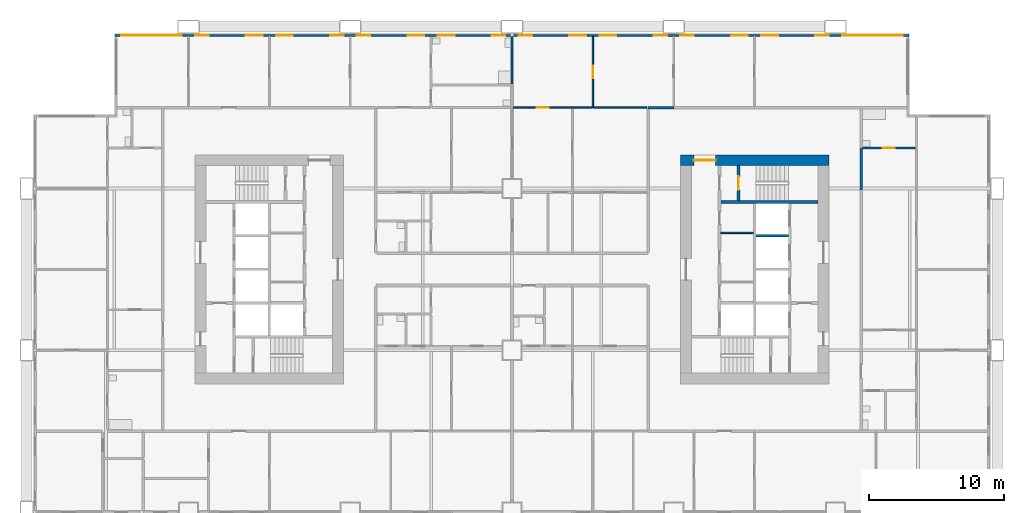
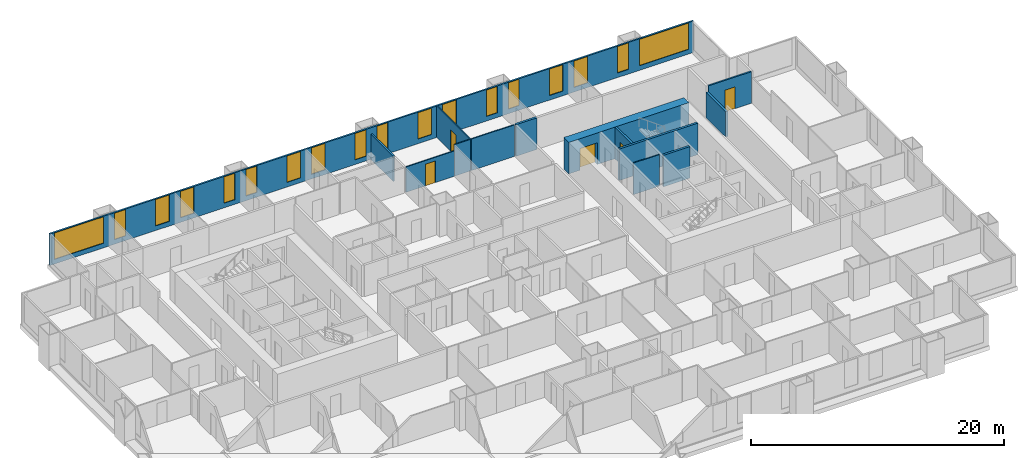
# One storey, part 10 of 14: 18 windows, 14 walls, 5 doors, 23 openings.
"""IFC4 building model written with IfcOpenShell, lengths in metres."""

from ifc_helpers import new_model, si_unit, direction, frame, frame_2d, origin, place, context, subcontext, project, spatial, rectangle, extrude, material, layer, layer_set, type_object, element, fill, save


model = new_model("IFC4")

# Units and contexts
model_context = context("Model", 3, precision=1e-05, world=origin(), true_north=direction((0.0, 1.0)))
body_context = subcontext(model_context, "Body", "Model", "MODEL_VIEW")
ifc_project = project(units=[si_unit("LENGTHUNIT", "METRE"), si_unit("AREAUNIT", "SQUARE_METRE"), si_unit("VOLUMEUNIT", "CUBIC_METRE"), si_unit("PLANEANGLEUNIT", "RADIAN"), si_unit("MASSUNIT", "GRAM", prefix="KILO")], contexts=[model_context])

# Site, building, storey
site_placement = place(None, origin())
site = spatial("IfcSite", under=ifc_project, at=site_placement, CompositionType="ELEMENT")
building_placement = place(site_placement, origin())
building = spatial("IfcBuilding", under=site, at=building_placement, Name="Kitamizu Gate Tower and Museum", CompositionType="ELEMENT")
storey_placement = place(building_placement, frame((0.0, 0.0, 64.5)))
storey = spatial("IfcBuildingStorey", under=building, at=storey_placement, Name="L15", CompositionType="ELEMENT", Elevation=64.5)

# Wall, opening, door
ifc_material_1 = material(Name="Concrete Fc60", Category="concrete")
ifc_layer_1 = layer(ifc_material_1, 0.800048828125)
ifc_layer_set_1 = layer_set([ifc_layer_1], Name="Concrete Fc60")
wall_type_1 = type_object("IfcWallType", Name="Core wall 800", PredefinedType="SHEAR", material=ifc_layer_set_1)
wall_1_placement = place(storey_placement, frame((59.5, 38.10009765625, 0.0), z_axis=(0.0, 0.0, 1.0), x_axis=(-1.0, 0.0, 0.0)))
wall_1 = element("IfcWall", 1, at=wall_1_placement, inside=storey, type_object=wall_type_1, Name="Core wall EN", PredefinedType="SHEAR", context=body_context, shape_type="SweptSolid", body=[
    extrude(rectangle(XDim=11.0, YDim=0.800048828125, at=frame_2d((5.5, 0.0))), origin(), (0.0, 0.0, 1.0), 3.050048828125),
])
opening_1_placement = place(wall_1_placement, frame((8.39990234375, 0.0, 0.0)))
opening_1 = element("IfcOpeningElement", 2, at=opening_1_placement, cuts=wall_1, Name="Opening L15-104", PredefinedType="OPENING", context=body_context, shape_type="SweptSolid", body=[
    extrude(rectangle(XDim=1.60009765625, YDim=2.10009765625, at=frame_2d((0.800048828125, 1.050048828125))), frame((0.0, 0.41015625, 0.0), z_axis=(0.0, -1.0, 0.0), x_axis=(1.0, 0.0, 0.0)), (0.0, 0.0, 1.0), 0.820068359375),
])
ifc_material_2 = material(Name="Timber door set", Category="wood")
door_type_1 = type_object("IfcDoorType", Name="Entrance door 1600", OperationType="DOUBLE_DOOR_SINGLE_SWING", PredefinedType="DOOR", material=ifc_material_2)
door_1_placement = place(opening_1_placement, origin())
door_1 = element("IfcDoor", 3, at=door_1_placement, inside=storey, type_object=door_type_1, Name="Lobby door L15-104", OperationType="DOUBLE_DOOR_SINGLE_SWING", OverallHeight=2.10009765625, OverallWidth=1.60009765625, PredefinedType="DOOR", context=body_context, shape_type="SweptSolid", body=[
    extrude(rectangle(XDim=1.60009765625, YDim=2.10009765625, at=frame_2d((0.800048828125, 1.050048828125))), frame((0.0, 0.02490234375, 0.0), z_axis=(0.0, -1.0, 0.0), x_axis=(1.0, 0.0, 0.0)), (0.0, 0.0, 1.0), 0.050048828125),
])
fill(opening_1, door_1)

# Wall
ifc_material_3 = material(Name="Gypsum board on galvanised stud")
ifc_layer_2 = layer(ifc_material_3, 0.10009765625)
ifc_layer_set_2 = layer_set([ifc_layer_2], Name="Gypsum board on galvanised stud")
wall_type_2 = type_object("IfcWallType", Name="Partition 100", PredefinedType="PARTITIONING", material=ifc_layer_set_2)
wall_2_placement = place(storey_placement, frame((53.89990234375, 32.7099609375, 0.0), z_axis=(0.0, 0.0, 1.0), x_axis=(-1.0, 0.0, 0.0)))
element("IfcWall", 4, at=wall_2_placement, inside=storey, type_object=wall_type_2, Name="Partition EPF2", PredefinedType="PARTITIONING", context=body_context, shape_type="SweptSolid", body=[
    extrude(rectangle(XDim=2.39990234375, YDim=0.10009765625, at=frame_2d((1.199951171875, 0.0))), origin(), (0.0, 0.0, 1.0), 3.050048828125),
])

# Wall, opening, door
ifc_material_4 = material(Name="Gypsum board on galvanised stud")
ifc_layer_3 = layer(ifc_material_4, 0.10009765625)
ifc_layer_set_3 = layer_set([ifc_layer_3], Name="Gypsum board on galvanised stud")
wall_type_3 = type_object("IfcWallType", Name="Partition 100 NOT RATED", PredefinedType="PARTITIONING", material=ifc_layer_set_3)
wall_3_placement = place(storey_placement, frame((42.0, 42.0, 0.0), z_axis=(0.0, 0.0, 1.0), x_axis=(0.0, 1.0, 0.0)))
wall_3 = element("IfcWall", 5, at=wall_3_placement, inside=storey, type_object=wall_type_3, Name="Partition L15-166", PredefinedType="PARTITIONING", context=body_context, shape_type="SweptSolid", body=[
    extrude(rectangle(XDim=5.280029296875, YDim=0.10009765625, at=frame_2d((2.64013671875, 0.0))), origin(), (0.0, 0.0, 1.0), 3.050048828125),
])
opening_2_placement = place(wall_3_placement, frame((2.18994140625, 0.0, 0.0)))
opening_2 = element("IfcOpeningElement", 6, at=opening_2_placement, cuts=wall_3, Name="Opening L15-072", PredefinedType="OPENING", context=body_context, shape_type="SweptSolid", body=[
    extrude(rectangle(XDim=0.89990234375, YDim=2.10009765625, at=frame_2d((0.449951171875, 1.050048828125))), frame((0.0, 0.06005859375, 0.0), z_axis=(0.0, -1.0, 0.0), x_axis=(1.0, 0.0, 0.0)), (0.0, 0.0, 1.0), 0.1201171875),
])
ifc_material_5 = material(Name="Timber door set", Category="wood")
door_type_2 = type_object("IfcDoorType", Name="Room door 900", OperationType="NOTDEFINED", PredefinedType="DOOR", material=ifc_material_5)
door_2_placement = place(opening_2_placement, origin())
door_2 = element("IfcDoor", 7, at=door_2_placement, inside=storey, type_object=door_type_2, Name="Door L15-072", OperationType="SINGLE_SWING_LEFT", OverallHeight=2.10009765625, OverallWidth=0.89990234375, PredefinedType="DOOR", context=body_context, shape_type="SweptSolid", body=[
    extrude(rectangle(XDim=0.89990234375, YDim=2.10009765625, at=frame_2d((0.449951171875, 1.050048828125))), frame((0.0, 0.02490234375, 0.0), z_axis=(0.0, -1.0, 0.0), x_axis=(1.0, 0.0, 0.0)), (0.0, 0.0, 1.0), 0.050048828125),
])
fill(opening_2, door_2)

wall_4_placement = place(storey_placement, frame((36.074951171875, 42.0, 0.0), z_axis=(0.0, 0.0, 1.0), x_axis=(1.0, 0.0, 0.0)))
wall_4 = element("IfcWall", 8, at=wall_4_placement, inside=storey, type_object=wall_type_3, Name="Partition L15-167", PredefinedType="PARTITIONING", context=body_context, shape_type="SweptSolid", body=[
    extrude(rectangle(XDim=4.425048828125, YDim=0.10009765625, at=frame_2d((2.21240234375, 0.0))), origin(), (0.0, 0.0, 1.0), 2.449951171875),
])
opening_3_placement = place(wall_4_placement, frame((1.762451171875, 0.0, 0.0)))
opening_3 = element("IfcOpeningElement", 9, at=opening_3_placement, cuts=wall_4, Name="Opening L15-071", PredefinedType="OPENING", context=body_context, shape_type="SweptSolid", body=[
    extrude(rectangle(XDim=0.89990234375, YDim=2.10009765625, at=frame_2d((0.449951171875, 1.050048828125))), frame((0.0, 0.06005859375, 0.0), z_axis=(0.0, -1.0, 0.0), x_axis=(1.0, 0.0, 0.0)), (0.0, 0.0, 1.0), 0.1201171875),
])
door_3_placement = place(opening_3_placement, frame((0.89990234375, 0.0, 0.0), x_axis=(-1.0, 0.0, 0.0)))
door_3 = element("IfcDoor", 10, at=door_3_placement, inside=storey, type_object=door_type_2, Name="Door L15-071", OperationType="SINGLE_SWING_LEFT", OverallHeight=2.10009765625, OverallWidth=0.89990234375, PredefinedType="DOOR", context=body_context, shape_type="SweptSolid", body=[
    extrude(rectangle(XDim=0.89990234375, YDim=2.10009765625, at=frame_2d((0.449951171875, 1.050048828125))), frame((0.0, 0.02490234375, 0.0), z_axis=(0.0, -1.0, 0.0), x_axis=(1.0, 0.0, 0.0)), (0.0, 0.0, 1.0), 0.050048828125),
])
fill(opening_3, door_3)

# Walls
wall_5_placement = place(storey_placement, frame((40.5, 42.0, 0.0), z_axis=(0.0, 0.0, 1.0), x_axis=(1.0, 0.0, 0.0)))
element("IfcWall", 11, at=wall_5_placement, inside=storey, type_object=wall_type_3, Name="Partition L15-168", PredefinedType="PARTITIONING", context=body_context, shape_type="SweptSolid", body=[
    extrude(rectangle(XDim=1.449951171875, YDim=0.10009765625, at=frame_2d((0.72509765625, 0.0))), origin(), (0.0, 0.0, 1.0), 3.050048828125),
])
wall_6_placement = place(storey_placement, frame((42.050048828125, 42.0, 0.0), z_axis=(0.0, 0.0, 1.0), x_axis=(1.0, 0.0, 0.0)))
element("IfcWall", 12, at=wall_6_placement, inside=storey, type_object=wall_type_3, Name="Partition L15-170", PredefinedType="PARTITIONING", context=body_context, shape_type="SweptSolid", body=[
    extrude(rectangle(XDim=3.949951171875, YDim=0.10009765625, at=frame_2d((1.97509765625, 0.0))), origin(), (0.0, 0.0, 1.0), 3.050048828125),
])
ifc_material_6 = material(Name="Gypsum board on galvanised stud")
ifc_layer_4 = layer(ifc_material_6, 0.14990234375)
ifc_layer_set_4 = layer_set([ifc_layer_4], Name="Gypsum board on galvanised stud")
wall_type_4 = type_object("IfcWallType", Name="Partition 150", PredefinedType="PARTITIONING", material=ifc_layer_set_4)
wall_7_placement = place(storey_placement, frame((36.0, 43.7548828125, 0.0), z_axis=(0.0, 0.0, 1.0), x_axis=(0.0, 1.0, 0.0)))
element("IfcWall", 13, at=wall_7_placement, inside=storey, type_object=wall_type_4, Name="Partition L15-162", PredefinedType="PARTITIONING", context=body_context, shape_type="SweptSolid", body=[
    extrude(rectangle(XDim=3.525146484375, YDim=0.14990234375, at=frame_2d((1.7626953125, 0.0))), origin(), (0.0, 0.0, 1.0), 2.449951171875),
])

# Wall, opening, door
wall_8_placement = place(storey_placement, frame((65.925048828125, 39.0, 0.0), z_axis=(0.0, 0.0, 1.0), x_axis=(-1.0, 0.0, 0.0)))
wall_8 = element("IfcWall", 14, at=wall_8_placement, inside=storey, type_object=wall_type_4, Name="Partition L15-223", PredefinedType="PARTITIONING", context=body_context, shape_type="SweptSolid", body=[
    extrude(rectangle(XDim=3.925048828125, YDim=0.14990234375, at=frame_2d((1.96240234375, 0.0))), origin(), (0.0, 0.0, 1.0), 3.050048828125),
])
opening_4_placement = place(wall_8_placement, frame((1.512451171875, 0.0, 0.0)))
opening_4 = element("IfcOpeningElement", 15, at=opening_4_placement, cuts=wall_8, Name="Opening L15-084", PredefinedType="OPENING", context=body_context, shape_type="SweptSolid", body=[
    extrude(rectangle(XDim=0.89990234375, YDim=2.10009765625, at=frame_2d((0.449951171875, 1.050048828125))), frame((0.0, 0.0849609375, 0.0), z_axis=(0.0, -1.0, 0.0), x_axis=(1.0, 0.0, 0.0)), (0.0, 0.0, 1.0), 0.169921875),
])
ifc_material_7 = material(Name="Timber door set", Category="wood")
door_type_3 = type_object("IfcDoorType", Name="Bathroom door 900", OperationType="NOTDEFINED", PredefinedType="DOOR", material=ifc_material_7)
door_4_placement = place(opening_4_placement, frame((0.89990234375, 0.0, 0.0), x_axis=(-1.0, 0.0, 0.0)))
door_4 = element("IfcDoor", 16, at=door_4_placement, inside=storey, type_object=door_type_3, Name="Bathroom door L15-084", OperationType="SINGLE_SWING_RIGHT", OverallHeight=2.10009765625, OverallWidth=0.89990234375, PredefinedType="DOOR", context=body_context, shape_type="SweptSolid", body=[
    extrude(rectangle(XDim=0.89990234375, YDim=2.10009765625, at=frame_2d((0.449951171875, 1.050048828125))), frame((0.0, 0.02490234375, 0.0), z_axis=(0.0, -1.0, 0.0), x_axis=(1.0, 0.0, 0.0)), (0.0, 0.0, 1.0), 0.050048828125),
])
fill(opening_4, door_4)

# Walls
ifc_material_8 = material(Name="Gypsum board on galvanised stud")
ifc_layer_5 = layer(ifc_material_8, 0.199951171875)
ifc_layer_set_5 = layer_set([ifc_layer_5], Name="Gypsum board on galvanised stud")
wall_type_5 = type_object("IfcWallType", Name="Partition 200", PredefinedType="PARTITIONING", material=ifc_layer_set_5)
wall_9_placement = place(storey_placement, frame((46.10009765625, 42.0, 0.0), z_axis=(0.0, 0.0, 1.0), x_axis=(1.0, 0.0, 0.0)))
element("IfcWall", 17, at=wall_9_placement, inside=storey, type_object=wall_type_5, Name="Partition L15-171", PredefinedType="PARTITIONING", context=body_context, shape_type="SweptSolid", body=[
    extrude(rectangle(XDim=1.89990234375, YDim=0.199951171875, at=frame_2d((0.949951171875, 0.0))), origin(), (0.0, 0.0, 1.0), 3.050048828125),
])
wall_10_placement = place(storey_placement, frame((61.89990234375, 39.0, 0.0), z_axis=(0.0, 0.0, 1.0), x_axis=(0.0, -1.0, 0.0)))
element("IfcWall", 18, at=wall_10_placement, inside=storey, type_object=wall_type_5, Name="Partition L15-224", PredefinedType="PARTITIONING", context=body_context, shape_type="SweptSolid", body=[
    extrude(rectangle(XDim=3.10009765625, YDim=0.199951171875, at=frame_2d((1.550048828125, 0.0))), origin(), (0.0, 0.0, 1.0), 2.449951171875),
])
ifc_material_9 = material(Name="Concrete Fc42", Category="concrete")
ifc_layer_6 = layer(ifc_material_9, 0.199951171875)
ifc_layer_set_6 = layer_set([ifc_layer_6], Name="Concrete Fc42")
wall_type_6 = type_object("IfcWallType", Name="Shaft wall 200", PredefinedType="SOLIDWALL", material=ifc_layer_set_6)
wall_11_placement = place(storey_placement, frame((58.699951171875, 35.0, 0.0), z_axis=(0.0, 0.0, 1.0), x_axis=(-1.0, 0.0, 0.0)))
element("IfcWall", 19, at=wall_11_placement, inside=storey, type_object=wall_type_6, Name="Shaft wall ENB", PredefinedType="SOLIDWALL", context=body_context, shape_type="SweptSolid", body=[
    extrude(rectangle(XDim=7.199951171875, YDim=0.199951171875, at=frame_2d((3.60009765625, 0.0))), origin(), (0.0, 0.0, 1.0), 3.050048828125),
])

# Wall, opening, door
wall_12_placement = place(storey_placement, frame((52.800048828125, 35.10009765625, 0.0), z_axis=(0.0, 0.0, 1.0), x_axis=(0.0, 1.0, 0.0)))
wall_12 = element("IfcWall", 20, at=wall_12_placement, inside=storey, type_object=wall_type_6, Name="Shaft wall ENZ", PredefinedType="SOLIDWALL", context=body_context, shape_type="SweptSolid", body=[
    extrude(rectangle(XDim=2.599853515625, YDim=0.199951171875, at=frame_2d((1.2998046875, 0.0))), origin(), (0.0, 0.0, 1.0), 3.050048828125),
])
opening_5_placement = place(wall_12_placement, frame((0.800048828125, 0.0, 0.0)))
opening_5 = element("IfcOpeningElement", 21, at=opening_5_placement, cuts=wall_12, Name="Opening L15-100", PredefinedType="OPENING", context=body_context, shape_type="SweptSolid", body=[
    extrude(rectangle(XDim=1.0, YDim=2.10009765625, at=frame_2d((0.5, 1.050048828125))), frame((0.0, 0.10986328125, 0.0), z_axis=(0.0, -1.0, 0.0), x_axis=(1.0, 0.0, 0.0)), (0.0, 0.0, 1.0), 0.219970703125),
])
ifc_material_10 = material(Name="Hollow metal door set")
door_type_4 = type_object("IfcDoorType", Name="Fire door 1000", OperationType="NOTDEFINED", PredefinedType="DOOR", material=ifc_material_10)
door_5_placement = place(opening_5_placement, frame((1.0, 0.0, 0.0), x_axis=(-1.0, 0.0, 0.0)))
door_5 = element("IfcDoor", 22, at=door_5_placement, inside=storey, type_object=door_type_4, Name="Stair door L15-100", OperationType="SINGLE_SWING_LEFT", OverallHeight=2.10009765625, OverallWidth=1.0, PredefinedType="DOOR", context=body_context, shape_type="SweptSolid", body=[
    extrude(rectangle(XDim=1.0, YDim=2.10009765625, at=frame_2d((0.5, 1.050048828125))), frame((0.0, 0.02490234375, 0.0), z_axis=(0.0, -1.0, 0.0), x_axis=(1.0, 0.0, 0.0)), (0.0, 0.0, 1.0), 0.050048828125),
])
fill(opening_5, door_5)

# Wall
wall_13_placement = place(storey_placement, frame((56.5, 32.5, 0.0), z_axis=(0.0, 0.0, 1.0), x_axis=(-1.0, 0.0, 0.0)))
element("IfcWall", 23, at=wall_13_placement, inside=storey, type_object=wall_type_6, Name="Shaft wall EDVW2", PredefinedType="SOLIDWALL", context=body_context, shape_type="SweptSolid", body=[
    extrude(rectangle(XDim=2.39990234375, YDim=0.199951171875, at=frame_2d((1.199951171875, 0.0))), origin(), (0.0, 0.0, 1.0), 3.050048828125),
])

# Wall, openings, windows
ifc_material_11 = material(Name="Bronze anodised aluminium frame with insulated spandrel and tinted glass", Category="aluminium")
ifc_layer_7 = layer(ifc_material_11, 0.14990234375)
ifc_layer_set_7 = layer_set([ifc_layer_7], Name="Bronze anodised aluminium frame with insulated spandrel and tinted glass")
wall_type_7 = type_object("IfcWallType", Name="WINDOW WALL 150 BRONZE FRAME EI 30", PredefinedType="ELEMENTEDWALL", material=ifc_layer_set_7)
wall_14_placement = place(storey_placement, frame((6.56005859375, 47.364990234375, 0.0), z_axis=(0.0, 0.0, 1.0), x_axis=(1.0, 0.0, 0.0)))
wall_14 = element("IfcWall", 24, at=wall_14_placement, inside=storey, type_object=wall_type_7, Name="Window wall north L15", PredefinedType="ELEMENTEDWALL", context=body_context, shape_type="SweptSolid", body=[
    extrude(rectangle(XDim=58.8798828125, YDim=0.14990234375, at=frame_2d((29.43994140625, 0.0))), origin(), (0.0, 0.0, 1.0), 3.050048828125),
])
opening_6_placement = place(wall_14_placement, frame((0.43994140625, 0.0, 0.449951171875)))
opening_6 = element("IfcOpeningElement", 25, at=opening_6_placement, cuts=wall_14, Name="Opening W15", PredefinedType="OPENING", context=body_context, shape_type="SweptSolid", body=[
    extrude(rectangle(XDim=4.5, YDim=2.550048828125, at=frame_2d((2.25, 1.27490234375))), frame((0.0, 0.0849609375, 0.0), z_axis=(0.0, -1.0, 0.0), x_axis=(1.0, 0.0, 0.0)), (0.0, 0.0, 1.0), 0.169921875),
])
opening_7_placement = place(wall_14_placement, frame((5.93994140625, 0.0, 0.449951171875)))
opening_7 = element("IfcOpeningElement", 26, at=opening_7_placement, cuts=wall_14, Name="Opening W26", PredefinedType="OPENING", context=body_context, shape_type="SweptSolid", body=[
    extrude(rectangle(XDim=1.0, YDim=2.550048828125, at=frame_2d((0.5, 1.27490234375))), frame((0.0, 0.0849609375, 0.0), z_axis=(0.0, -1.0, 0.0), x_axis=(1.0, 0.0, 0.0)), (0.0, 0.0, 1.0), 0.169921875),
])
opening_8_placement = place(wall_14_placement, frame((9.68994140625, 0.0, 0.449951171875)))
opening_8 = element("IfcOpeningElement", 27, at=opening_8_placement, cuts=wall_14, Name="Opening W27", PredefinedType="OPENING", context=body_context, shape_type="SweptSolid", body=[
    extrude(rectangle(XDim=1.25, YDim=2.550048828125, at=frame_2d((0.625, 1.27490234375))), frame((0.0, 0.0849609375, 0.0), z_axis=(0.0, -1.0, 0.0), x_axis=(1.0, 0.0, 0.0)), (0.0, 0.0, 1.0), 0.169921875),
])
opening_9_placement = place(wall_14_placement, frame((11.93994140625, 0.0, 0.449951171875)))
opening_9 = element("IfcOpeningElement", 28, at=opening_9_placement, cuts=wall_14, Name="Opening W27", PredefinedType="OPENING", context=body_context, shape_type="SweptSolid", body=[
    extrude(rectangle(XDim=1.25, YDim=2.550048828125, at=frame_2d((0.625, 1.27490234375))), frame((0.0, 0.0849609375, 0.0), z_axis=(0.0, -1.0, 0.0), x_axis=(1.0, 0.0, 0.0)), (0.0, 0.0, 1.0), 0.169921875),
])
opening_10_placement = place(wall_14_placement, frame((15.93994140625, 0.0, 0.449951171875)))
opening_10 = element("IfcOpeningElement", 29, at=opening_10_placement, cuts=wall_14, Name="Opening W26", PredefinedType="OPENING", context=body_context, shape_type="SweptSolid", body=[
    extrude(rectangle(XDim=1.0, YDim=2.550048828125, at=frame_2d((0.5, 1.27490234375))), frame((0.0, 0.0849609375, 0.0), z_axis=(0.0, -1.0, 0.0), x_axis=(1.0, 0.0, 0.0)), (0.0, 0.0, 1.0), 0.169921875),
])
opening_11_placement = place(wall_14_placement, frame((17.93994140625, 0.0, 0.449951171875)))
opening_11 = element("IfcOpeningElement", 30, at=opening_11_placement, cuts=wall_14, Name="Opening W26", PredefinedType="OPENING", context=body_context, shape_type="SweptSolid", body=[
    extrude(rectangle(XDim=1.0, YDim=2.550048828125, at=frame_2d((0.5, 1.27490234375))), frame((0.0, 0.0849609375, 0.0), z_axis=(0.0, -1.0, 0.0), x_axis=(1.0, 0.0, 0.0)), (0.0, 0.0, 1.0), 0.169921875),
])
opening_12_placement = place(wall_14_placement, frame((21.68994140625, 0.0, 0.449951171875)))
opening_12 = element("IfcOpeningElement", 31, at=opening_12_placement, cuts=wall_14, Name="Opening W27", PredefinedType="OPENING", context=body_context, shape_type="SweptSolid", body=[
    extrude(rectangle(XDim=1.25, YDim=2.550048828125, at=frame_2d((0.625, 1.27490234375))), frame((0.0, 0.0849609375, 0.0), z_axis=(0.0, -1.0, 0.0), x_axis=(1.0, 0.0, 0.0)), (0.0, 0.0, 1.0), 0.169921875),
])
opening_13_placement = place(wall_14_placement, frame((23.93994140625, 0.0, 0.449951171875)))
opening_13 = element("IfcOpeningElement", 32, at=opening_13_placement, cuts=wall_14, Name="Opening W27", PredefinedType="OPENING", context=body_context, shape_type="SweptSolid", body=[
    extrude(rectangle(XDim=1.25, YDim=2.550048828125, at=frame_2d((0.625, 1.27490234375))), frame((0.0, 0.0849609375, 0.0), z_axis=(0.0, -1.0, 0.0), x_axis=(1.0, 0.0, 0.0)), (0.0, 0.0, 1.0), 0.169921875),
])
opening_14_placement = place(wall_14_placement, frame((27.93994140625, 0.0, 0.449951171875)))
opening_14 = element("IfcOpeningElement", 33, at=opening_14_placement, cuts=wall_14, Name="Opening W26", PredefinedType="OPENING", context=body_context, shape_type="SweptSolid", body=[
    extrude(rectangle(XDim=1.0, YDim=2.550048828125, at=frame_2d((0.5, 1.27490234375))), frame((0.0, 0.0849609375, 0.0), z_axis=(0.0, -1.0, 0.0), x_axis=(1.0, 0.0, 0.0)), (0.0, 0.0, 1.0), 0.169921875),
])
opening_15_placement = place(wall_14_placement, frame((29.93994140625, 0.0, 0.449951171875)))
opening_15 = element("IfcOpeningElement", 34, at=opening_15_placement, cuts=wall_14, Name="Opening W26", PredefinedType="OPENING", context=body_context, shape_type="SweptSolid", body=[
    extrude(rectangle(XDim=1.0, YDim=2.550048828125, at=frame_2d((0.5, 1.27490234375))), frame((0.0, 0.0849609375, 0.0), z_axis=(0.0, -1.0, 0.0), x_axis=(1.0, 0.0, 0.0)), (0.0, 0.0, 1.0), 0.169921875),
])
opening_16_placement = place(wall_14_placement, frame((33.68994140625, 0.0, 0.449951171875)))
opening_16 = element("IfcOpeningElement", 35, at=opening_16_placement, cuts=wall_14, Name="Opening W27", PredefinedType="OPENING", context=body_context, shape_type="SweptSolid", body=[
    extrude(rectangle(XDim=1.25, YDim=2.550048828125, at=frame_2d((0.625, 1.27490234375))), frame((0.0, 0.0849609375, 0.0), z_axis=(0.0, -1.0, 0.0), x_axis=(1.0, 0.0, 0.0)), (0.0, 0.0, 1.0), 0.169921875),
])
opening_17_placement = place(wall_14_placement, frame((35.93994140625, 0.0, 0.449951171875)))
opening_17 = element("IfcOpeningElement", 36, at=opening_17_placement, cuts=wall_14, Name="Opening W27", PredefinedType="OPENING", context=body_context, shape_type="SweptSolid", body=[
    extrude(rectangle(XDim=1.25, YDim=2.550048828125, at=frame_2d((0.625, 1.27490234375))), frame((0.0, 0.0849609375, 0.0), z_axis=(0.0, -1.0, 0.0), x_axis=(1.0, 0.0, 0.0)), (0.0, 0.0, 1.0), 0.169921875),
])
opening_18_placement = place(wall_14_placement, frame((39.93994140625, 0.0, 0.449951171875)))
opening_18 = element("IfcOpeningElement", 37, at=opening_18_placement, cuts=wall_14, Name="Opening W26", PredefinedType="OPENING", context=body_context, shape_type="SweptSolid", body=[
    extrude(rectangle(XDim=1.0, YDim=2.550048828125, at=frame_2d((0.5, 1.27490234375))), frame((0.0, 0.0849609375, 0.0), z_axis=(0.0, -1.0, 0.0), x_axis=(1.0, 0.0, 0.0)), (0.0, 0.0, 1.0), 0.169921875),
])
opening_19_placement = place(wall_14_placement, frame((41.93994140625, 0.0, 0.449951171875)))
opening_19 = element("IfcOpeningElement", 38, at=opening_19_placement, cuts=wall_14, Name="Opening W26", PredefinedType="OPENING", context=body_context, shape_type="SweptSolid", body=[
    extrude(rectangle(XDim=1.0, YDim=2.550048828125, at=frame_2d((0.5, 1.27490234375))), frame((0.0, 0.0849609375, 0.0), z_axis=(0.0, -1.0, 0.0), x_axis=(1.0, 0.0, 0.0)), (0.0, 0.0, 1.0), 0.169921875),
])
opening_20_placement = place(wall_14_placement, frame((45.68994140625, 0.0, 0.449951171875)))
opening_20 = element("IfcOpeningElement", 39, at=opening_20_placement, cuts=wall_14, Name="Opening W27", PredefinedType="OPENING", context=body_context, shape_type="SweptSolid", body=[
    extrude(rectangle(XDim=1.25, YDim=2.550048828125, at=frame_2d((0.625, 1.27490234375))), frame((0.0, 0.0849609375, 0.0), z_axis=(0.0, -1.0, 0.0), x_axis=(1.0, 0.0, 0.0)), (0.0, 0.0, 1.0), 0.169921875),
])
opening_21_placement = place(wall_14_placement, frame((47.93994140625, 0.0, 0.449951171875)))
opening_21 = element("IfcOpeningElement", 40, at=opening_21_placement, cuts=wall_14, Name="Opening W27", PredefinedType="OPENING", context=body_context, shape_type="SweptSolid", body=[
    extrude(rectangle(XDim=1.25, YDim=2.550048828125, at=frame_2d((0.625, 1.27490234375))), frame((0.0, 0.0849609375, 0.0), z_axis=(0.0, -1.0, 0.0), x_axis=(1.0, 0.0, 0.0)), (0.0, 0.0, 1.0), 0.169921875),
])
opening_22_placement = place(wall_14_placement, frame((51.93994140625, 0.0, 0.449951171875)))
opening_22 = element("IfcOpeningElement", 41, at=opening_22_placement, cuts=wall_14, Name="Opening W26", PredefinedType="OPENING", context=body_context, shape_type="SweptSolid", body=[
    extrude(rectangle(XDim=1.0, YDim=2.550048828125, at=frame_2d((0.5, 1.27490234375))), frame((0.0, 0.0849609375, 0.0), z_axis=(0.0, -1.0, 0.0), x_axis=(1.0, 0.0, 0.0)), (0.0, 0.0, 1.0), 0.169921875),
])
opening_23_placement = place(wall_14_placement, frame((53.93994140625, 0.0, 0.449951171875)))
opening_23 = element("IfcOpeningElement", 42, at=opening_23_placement, cuts=wall_14, Name="Opening W15", PredefinedType="OPENING", context=body_context, shape_type="SweptSolid", body=[
    extrude(rectangle(XDim=4.5, YDim=2.550048828125, at=frame_2d((2.25, 1.27490234375))), frame((0.0, 0.0849609375, 0.0), z_axis=(0.0, -1.0, 0.0), x_axis=(1.0, 0.0, 0.0)), (0.0, 0.0, 1.0), 0.169921875),
])
ifc_material_12 = material(Name="Bronze anodised aluminium frame, tinted triple glazing", Category="aluminium")
window_type_1 = type_object("IfcWindowType", Name="WINDOW 1000 x 2550 SILL 450", PartitioningType="SINGLE_PANEL", PredefinedType="WINDOW", material=ifc_material_12)
window_1_placement = place(opening_7_placement, origin())
window_1 = element("IfcWindow", 43, at=window_1_placement, inside=storey, type_object=window_type_1, Name="Window W26 L15", OverallHeight=2.550048828125, OverallWidth=1.0, PartitioningType="SINGLE_PANEL", PredefinedType="WINDOW", context=body_context, shape_type="SweptSolid", body=[
    extrude(rectangle(XDim=1.0, YDim=2.550048828125, at=frame_2d((0.5, 1.27490234375))), frame((0.0, 0.030029296875, 0.0), z_axis=(0.0, -1.0, 0.0), x_axis=(1.0, 0.0, 0.0)), (0.0, 0.0, 1.0), 0.06005859375),
])
fill(opening_7, window_1)
window_2_placement = place(opening_10_placement, origin())
window_2 = element("IfcWindow", 44, at=window_2_placement, inside=storey, type_object=window_type_1, Name="Window W26 L15", OverallHeight=2.550048828125, OverallWidth=1.0, PartitioningType="SINGLE_PANEL", PredefinedType="WINDOW", context=body_context, shape_type="SweptSolid", body=[
    extrude(rectangle(XDim=1.0, YDim=2.550048828125, at=frame_2d((0.5, 1.27490234375))), frame((0.0, 0.030029296875, 0.0), z_axis=(0.0, -1.0, 0.0), x_axis=(1.0, 0.0, 0.0)), (0.0, 0.0, 1.0), 0.06005859375),
])
fill(opening_10, window_2)
window_3_placement = place(opening_11_placement, origin())
window_3 = element("IfcWindow", 45, at=window_3_placement, inside=storey, type_object=window_type_1, Name="Window W26 L15", OverallHeight=2.550048828125, OverallWidth=1.0, PartitioningType="SINGLE_PANEL", PredefinedType="WINDOW", context=body_context, shape_type="SweptSolid", body=[
    extrude(rectangle(XDim=1.0, YDim=2.550048828125, at=frame_2d((0.5, 1.27490234375))), frame((0.0, 0.030029296875, 0.0), z_axis=(0.0, -1.0, 0.0), x_axis=(1.0, 0.0, 0.0)), (0.0, 0.0, 1.0), 0.06005859375),
])
fill(opening_11, window_3)
window_4_placement = place(opening_14_placement, origin())
window_4 = element("IfcWindow", 46, at=window_4_placement, inside=storey, type_object=window_type_1, Name="Window W26 L15", OverallHeight=2.550048828125, OverallWidth=1.0, PartitioningType="SINGLE_PANEL", PredefinedType="WINDOW", context=body_context, shape_type="SweptSolid", body=[
    extrude(rectangle(XDim=1.0, YDim=2.550048828125, at=frame_2d((0.5, 1.27490234375))), frame((0.0, 0.030029296875, 0.0), z_axis=(0.0, -1.0, 0.0), x_axis=(1.0, 0.0, 0.0)), (0.0, 0.0, 1.0), 0.06005859375),
])
fill(opening_14, window_4)
window_5_placement = place(opening_15_placement, origin())
window_5 = element("IfcWindow", 47, at=window_5_placement, inside=storey, type_object=window_type_1, Name="Window W26 L15", OverallHeight=2.550048828125, OverallWidth=1.0, PartitioningType="SINGLE_PANEL", PredefinedType="WINDOW", context=body_context, shape_type="SweptSolid", body=[
    extrude(rectangle(XDim=1.0, YDim=2.550048828125, at=frame_2d((0.5, 1.27490234375))), frame((0.0, 0.030029296875, 0.0), z_axis=(0.0, -1.0, 0.0), x_axis=(1.0, 0.0, 0.0)), (0.0, 0.0, 1.0), 0.06005859375),
])
fill(opening_15, window_5)
window_6_placement = place(opening_18_placement, origin())
window_6 = element("IfcWindow", 48, at=window_6_placement, inside=storey, type_object=window_type_1, Name="Window W26 L15", OverallHeight=2.550048828125, OverallWidth=1.0, PartitioningType="SINGLE_PANEL", PredefinedType="WINDOW", context=body_context, shape_type="SweptSolid", body=[
    extrude(rectangle(XDim=1.0, YDim=2.550048828125, at=frame_2d((0.5, 1.27490234375))), frame((0.0, 0.030029296875, 0.0), z_axis=(0.0, -1.0, 0.0), x_axis=(1.0, 0.0, 0.0)), (0.0, 0.0, 1.0), 0.06005859375),
])
fill(opening_18, window_6)
window_7_placement = place(opening_19_placement, origin())
window_7 = element("IfcWindow", 49, at=window_7_placement, inside=storey, type_object=window_type_1, Name="Window W26 L15", OverallHeight=2.550048828125, OverallWidth=1.0, PartitioningType="SINGLE_PANEL", PredefinedType="WINDOW", context=body_context, shape_type="SweptSolid", body=[
    extrude(rectangle(XDim=1.0, YDim=2.550048828125, at=frame_2d((0.5, 1.27490234375))), frame((0.0, 0.030029296875, 0.0), z_axis=(0.0, -1.0, 0.0), x_axis=(1.0, 0.0, 0.0)), (0.0, 0.0, 1.0), 0.06005859375),
])
fill(opening_19, window_7)
window_8_placement = place(opening_22_placement, origin())
window_8 = element("IfcWindow", 50, at=window_8_placement, inside=storey, type_object=window_type_1, Name="Window W26 L15", OverallHeight=2.550048828125, OverallWidth=1.0, PartitioningType="SINGLE_PANEL", PredefinedType="WINDOW", context=body_context, shape_type="SweptSolid", body=[
    extrude(rectangle(XDim=1.0, YDim=2.550048828125, at=frame_2d((0.5, 1.27490234375))), frame((0.0, 0.030029296875, 0.0), z_axis=(0.0, -1.0, 0.0), x_axis=(1.0, 0.0, 0.0)), (0.0, 0.0, 1.0), 0.06005859375),
])
fill(opening_22, window_8)
ifc_material_13 = material(Name="Bronze anodised aluminium frame, tinted triple glazing", Category="aluminium")
window_type_2 = type_object("IfcWindowType", Name="WINDOW 1250 x 2550 SILL 450", PartitioningType="SINGLE_PANEL", PredefinedType="WINDOW", material=ifc_material_13)
window_9_placement = place(opening_8_placement, origin())
window_9 = element("IfcWindow", 51, at=window_9_placement, inside=storey, type_object=window_type_2, Name="Window W27 L15", OverallHeight=2.550048828125, OverallWidth=1.25, PartitioningType="SINGLE_PANEL", PredefinedType="WINDOW", context=body_context, shape_type="SweptSolid", body=[
    extrude(rectangle(XDim=1.25, YDim=2.550048828125, at=frame_2d((0.625, 1.27490234375))), frame((0.0, 0.030029296875, 0.0), z_axis=(0.0, -1.0, 0.0), x_axis=(1.0, 0.0, 0.0)), (0.0, 0.0, 1.0), 0.06005859375),
])
fill(opening_8, window_9)
window_10_placement = place(opening_9_placement, origin())
window_10 = element("IfcWindow", 52, at=window_10_placement, inside=storey, type_object=window_type_2, Name="Window W27 L15", OverallHeight=2.550048828125, OverallWidth=1.25, PartitioningType="SINGLE_PANEL", PredefinedType="WINDOW", context=body_context, shape_type="SweptSolid", body=[
    extrude(rectangle(XDim=1.25, YDim=2.550048828125, at=frame_2d((0.625, 1.27490234375))), frame((0.0, 0.030029296875, 0.0), z_axis=(0.0, -1.0, 0.0), x_axis=(1.0, 0.0, 0.0)), (0.0, 0.0, 1.0), 0.06005859375),
])
fill(opening_9, window_10)
window_11_placement = place(opening_12_placement, origin())
window_11 = element("IfcWindow", 53, at=window_11_placement, inside=storey, type_object=window_type_2, Name="Window W27 L15", OverallHeight=2.550048828125, OverallWidth=1.25, PartitioningType="SINGLE_PANEL", PredefinedType="WINDOW", context=body_context, shape_type="SweptSolid", body=[
    extrude(rectangle(XDim=1.25, YDim=2.550048828125, at=frame_2d((0.625, 1.27490234375))), frame((0.0, 0.030029296875, 0.0), z_axis=(0.0, -1.0, 0.0), x_axis=(1.0, 0.0, 0.0)), (0.0, 0.0, 1.0), 0.06005859375),
])
fill(opening_12, window_11)
window_12_placement = place(opening_13_placement, origin())
window_12 = element("IfcWindow", 54, at=window_12_placement, inside=storey, type_object=window_type_2, Name="Window W27 L15", OverallHeight=2.550048828125, OverallWidth=1.25, PartitioningType="SINGLE_PANEL", PredefinedType="WINDOW", context=body_context, shape_type="SweptSolid", body=[
    extrude(rectangle(XDim=1.25, YDim=2.550048828125, at=frame_2d((0.625, 1.27490234375))), frame((0.0, 0.030029296875, 0.0), z_axis=(0.0, -1.0, 0.0), x_axis=(1.0, 0.0, 0.0)), (0.0, 0.0, 1.0), 0.06005859375),
])
fill(opening_13, window_12)
window_13_placement = place(opening_16_placement, origin())
window_13 = element("IfcWindow", 55, at=window_13_placement, inside=storey, type_object=window_type_2, Name="Window W27 L15", OverallHeight=2.550048828125, OverallWidth=1.25, PartitioningType="SINGLE_PANEL", PredefinedType="WINDOW", context=body_context, shape_type="SweptSolid", body=[
    extrude(rectangle(XDim=1.25, YDim=2.550048828125, at=frame_2d((0.625, 1.27490234375))), frame((0.0, 0.030029296875, 0.0), z_axis=(0.0, -1.0, 0.0), x_axis=(1.0, 0.0, 0.0)), (0.0, 0.0, 1.0), 0.06005859375),
])
fill(opening_16, window_13)
window_14_placement = place(opening_17_placement, origin())
window_14 = element("IfcWindow", 56, at=window_14_placement, inside=storey, type_object=window_type_2, Name="Window W27 L15", OverallHeight=2.550048828125, OverallWidth=1.25, PartitioningType="SINGLE_PANEL", PredefinedType="WINDOW", context=body_context, shape_type="SweptSolid", body=[
    extrude(rectangle(XDim=1.25, YDim=2.550048828125, at=frame_2d((0.625, 1.27490234375))), frame((0.0, 0.030029296875, 0.0), z_axis=(0.0, -1.0, 0.0), x_axis=(1.0, 0.0, 0.0)), (0.0, 0.0, 1.0), 0.06005859375),
])
fill(opening_17, window_14)
window_15_placement = place(opening_20_placement, origin())
window_15 = element("IfcWindow", 57, at=window_15_placement, inside=storey, type_object=window_type_2, Name="Window W27 L15", OverallHeight=2.550048828125, OverallWidth=1.25, PartitioningType="SINGLE_PANEL", PredefinedType="WINDOW", context=body_context, shape_type="SweptSolid", body=[
    extrude(rectangle(XDim=1.25, YDim=2.550048828125, at=frame_2d((0.625, 1.27490234375))), frame((0.0, 0.030029296875, 0.0), z_axis=(0.0, -1.0, 0.0), x_axis=(1.0, 0.0, 0.0)), (0.0, 0.0, 1.0), 0.06005859375),
])
fill(opening_20, window_15)
window_16_placement = place(opening_21_placement, origin())
window_16 = element("IfcWindow", 58, at=window_16_placement, inside=storey, type_object=window_type_2, Name="Window W27 L15", OverallHeight=2.550048828125, OverallWidth=1.25, PartitioningType="SINGLE_PANEL", PredefinedType="WINDOW", context=body_context, shape_type="SweptSolid", body=[
    extrude(rectangle(XDim=1.25, YDim=2.550048828125, at=frame_2d((0.625, 1.27490234375))), frame((0.0, 0.030029296875, 0.0), z_axis=(0.0, -1.0, 0.0), x_axis=(1.0, 0.0, 0.0)), (0.0, 0.0, 1.0), 0.06005859375),
])
fill(opening_21, window_16)
ifc_material_14 = material(Name="Bronze anodised aluminium frame, tinted triple glazing", Category="aluminium")
window_type_3 = type_object("IfcWindowType", Name="WINDOW 4500 x 2550 SILL 450", PartitioningType="SINGLE_PANEL", PredefinedType="WINDOW", material=ifc_material_14)
window_17_placement = place(opening_6_placement, origin())
window_17 = element("IfcWindow", 59, at=window_17_placement, inside=storey, type_object=window_type_3, Name="Window W15 L15", OverallHeight=2.550048828125, OverallWidth=4.5, PartitioningType="SINGLE_PANEL", PredefinedType="WINDOW", context=body_context, shape_type="SweptSolid", body=[
    extrude(rectangle(XDim=4.5, YDim=2.550048828125, at=frame_2d((2.25, 1.27490234375))), frame((0.0, 0.030029296875, 0.0), z_axis=(0.0, -1.0, 0.0), x_axis=(1.0, 0.0, 0.0)), (0.0, 0.0, 1.0), 0.06005859375),
])
fill(opening_6, window_17)
window_18_placement = place(opening_23_placement, origin())
window_18 = element("IfcWindow", 60, at=window_18_placement, inside=storey, type_object=window_type_3, Name="Window W15 L15", OverallHeight=2.550048828125, OverallWidth=4.5, PartitioningType="SINGLE_PANEL", PredefinedType="WINDOW", context=body_context, shape_type="SweptSolid", body=[
    extrude(rectangle(XDim=4.5, YDim=2.550048828125, at=frame_2d((2.25, 1.27490234375))), frame((0.0, 0.030029296875, 0.0), z_axis=(0.0, -1.0, 0.0), x_axis=(1.0, 0.0, 0.0)), (0.0, 0.0, 1.0), 0.06005859375),
])
fill(opening_23, window_18)

save(model, "model.ifc")
